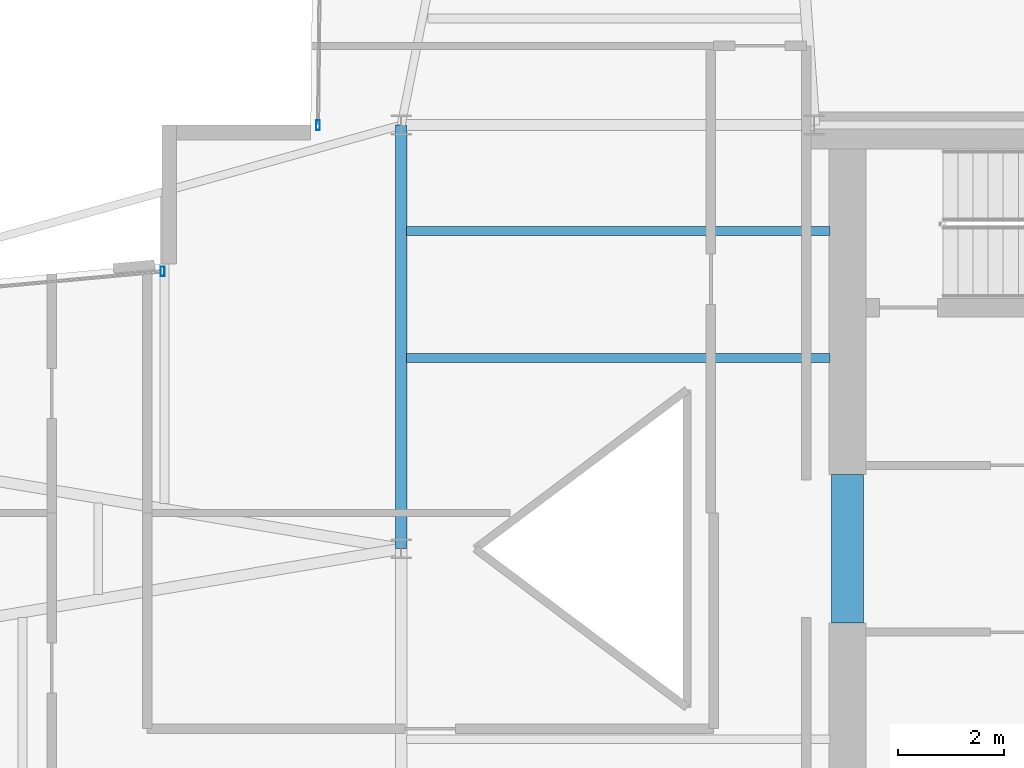
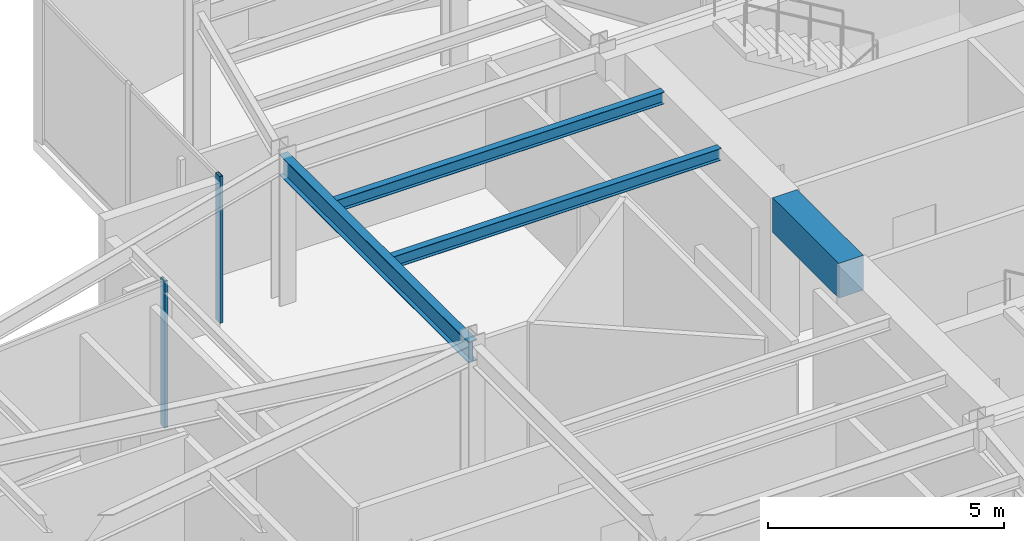
# One storey, part 11 of 22: 4 beams, 2 members, 2 elements without a shape of their own.
"""IFC4 building model written with IfcOpenShell, lengths in metres."""

from ifc_helpers import new_model, si_unit, direction, frame, origin, origin_2d, place, context, subcontext, project, spatial, rectangle, hollow_rectangle, i_section, extrude, material, layer, layer_set, material_profile, profile_set, type_object, element, aggregate, save


model = new_model("IFC4")

# Units and contexts
model_context = context("Model", 3, precision=1e-05, world=origin(), true_north=direction((0.0, 1.0)))
body_context = subcontext(model_context, "Body", "Model", "MODEL_VIEW")
ifc_project = project(units=[si_unit("LENGTHUNIT", "METRE"), si_unit("AREAUNIT", "SQUARE_METRE"), si_unit("VOLUMEUNIT", "CUBIC_METRE"), si_unit("PLANEANGLEUNIT", "RADIAN"), si_unit("MASSUNIT", "GRAM", prefix="KILO")], contexts=[model_context])

# Site, building, storey
site_placement = place(None, origin())
site = spatial("IfcSite", under=ifc_project, at=site_placement, CompositionType="ELEMENT")
building_placement = place(site_placement, origin())
building = spatial("IfcBuilding", under=site, at=building_placement, Name="Veymaron Broadcast Tower", CompositionType="ELEMENT")
storey_placement = place(building_placement, frame((0.0, 0.0, 204.0)))
storey = spatial("IfcBuildingStorey", under=building, at=storey_placement, Name="L47", CompositionType="ELEMENT", Elevation=204.0)

# Beams
ifc_material_1 = material(Name="Concrete C60/75", Category="concrete")
ifc_material_profile_1 = material_profile(ifc_material_1, rectangle(XDim=0.60009765625, YDim=0.89990234375, at=origin_2d()), Name="RC600X900")
ifc_profile_set_1 = profile_set([ifc_material_profile_1], Name="Concrete C60/75")
beam_type_1 = type_object("IfcBeamType", Name="BM-CB2", PredefinedType="LINTEL", material=ifc_profile_set_1)
beam_1_placement = place(storey_placement, frame((39.6298828125, 22.60009765625, 3.340087890625), z_axis=(0.0, 1.0, 0.0), x_axis=(-1.0, 0.0, 0.0)))
element("IfcBeam", 1, at=beam_1_placement, inside=storey, type_object=beam_type_1, Name="L47 Core Wall west coupling beam", PredefinedType="LINTEL", context=body_context, shape_type="SweptSolid", body=[
    extrude(rectangle(XDim=0.60009765625, YDim=0.89990234375, at=origin_2d()), origin(), (0.0, 0.0, 1.0), 2.7998046875),
])
ifc_material_2 = material(Name="Structural steel ASTM A992 Gr 50", Category="steel")
ifc_material_profile_2 = material_profile(ifc_material_2, i_section(OverallWidth=0.2099609375, OverallDepth=0.537109375, WebThickness=0.010986328125, FlangeThickness=0.017333984375, at=origin_2d()), Name="W530X101")
ifc_profile_set_2 = profile_set([ifc_material_profile_2], Name="Structural steel ASTM A992 Gr 50")
beam_type_2 = type_object("IfcBeamType", Name="BM-FG3", PredefinedType="BEAM", material=ifc_profile_set_2)
beam_2_placement = place(storey_placement, frame((31.199951171875, 24.0, 3.521484375), z_axis=(0.0, 1.0, 0.0), x_axis=(-1.0, 0.0, 0.0)))
element("IfcBeam", 2, at=beam_2_placement, inside=storey, type_object=beam_type_2, Name="L47 primary structural floor girder", PredefinedType="BEAM", context=body_context, shape_type="SweptSolid", body=[
    extrude(i_section(OverallWidth=0.2099609375, OverallDepth=0.537109375, WebThickness=0.010986328125, FlangeThickness=0.017333984375, at=origin_2d()), origin(), (0.0, 0.0, 1.0), 8.0),
])
ifc_material_profile_3 = material_profile(ifc_material_2, i_section(OverallWidth=0.1650390625, OverallDepth=0.31005859375, WebThickness=0.005859375, FlangeThickness=0.009765625, at=origin_2d()), Name="W310X39")
ifc_profile_set_3 = profile_set([ifc_material_profile_3], Name="Structural steel ASTM A992 Gr 50")
beam_type_3 = type_object("IfcBeamType", Name="BM-JS3", PredefinedType="JOIST", material=ifc_profile_set_3)
for number, where, z_axis, x_axis, name in (
    (3, (31.300048828125, 27.60009765625, 3.635009765625), (1.0, 0.0, 0.0), (0.0, 1.0, 0.0), "L47 Hub secondary joist 3"),
    (4, (31.300048828125, 30.0, 3.635009765625), (1.0, 0.0, 0.0), (0.0, 1.0, 0.0), "L47 Hub secondary joist 4"),
):
    element("IfcBeam", number, at=place(storey_placement, frame(where, z_axis=z_axis, x_axis=x_axis)), inside=storey, type_object=beam_type_3, Name=name, PredefinedType="JOIST", context=body_context, shape_type="SweptSolid", body=[
        extrude(i_section(OverallWidth=0.1650390625, OverallDepth=0.31005859375, WebThickness=0.005859375, FlangeThickness=0.009765625, at=origin_2d()), origin(), (0.0, 0.0, 1.0), 8.0),
    ])

# Curtain wall, member
ifc_material_3 = material(Name="Anodised aluminium AA 6063-T6 and laminated low-E dark glass", Category="aluminium")
ifc_layer = layer(ifc_material_3, 0.179931640625)
ifc_layer_set = layer_set([ifc_layer], Name="Anodised aluminium AA 6063-T6 and laminated low-E dark glass")
curtain_wall_type = type_object("IfcCurtainWallType", Name="CW-SYS-05", PredefinedType="NOTDEFINED", material=ifc_layer_set)
curtain_wall_1_placement = place(storey_placement, origin())
curtain_wall_1 = element("IfcCurtainWall", 5, at=curtain_wall_1_placement, inside=storey, type_object=curtain_wall_type, Name="L47 dark-glass curtain wall CW-L47-E8-1", PredefinedType="NOTDEFINED")
ifc_material_4 = material(Name="Anodised aluminium AA 6063-T6", Category="aluminium")
ifc_material_profile_4 = material_profile(ifc_material_4, hollow_rectangle(XDim=0.074951171875, YDim=0.179931640625, WallThickness=0.0048828125, at=origin_2d()), Name="AL180X75X5")
ifc_profile_set_4 = profile_set([ifc_material_profile_4], Name="Anodised aluminium AA 6063-T6")
member_type = type_object("IfcMemberType", Name="CW-MUL-02", PredefinedType="MULLION", material=ifc_profile_set_4)
member_1_placement = place(storey_placement, frame((29.62890625, 31.998291015625, 0.0), z_axis=(0.0, 0.0, 1.0), x_axis=(1.0, 0.0, 0.0)))
member_1 = element("IfcMember", 6, at=member_1_placement, type_object=member_type, Name="CW-L47-E8-1 mullion 2", PredefinedType="MULLION", context=body_context, shape_type="SweptSolid", body=[
    extrude(hollow_rectangle(XDim=0.074951171875, YDim=0.179931640625, WallThickness=0.0048828125, at=origin_2d()), origin(), (0.0, 0.0, 1.0), 3.7900390625),
])
aggregate(curtain_wall_1, [member_1])

curtain_wall_2_placement = place(storey_placement, origin())
curtain_wall_2 = element("IfcCurtainWall", 7, at=curtain_wall_2_placement, inside=storey, type_object=curtain_wall_type, Name="L47 dark-glass curtain wall CW-L47-E11-1", PredefinedType="NOTDEFINED")
member_2_placement = place(storey_placement, frame((26.69287109375, 29.23828125, 0.0), z_axis=(0.0, 0.0, 1.0), x_axis=(1.0, 0.0, 0.0)))
member_2 = element("IfcMember", 8, at=member_2_placement, type_object=member_type, Name="CW-L47-E11-1 mullion 0", PredefinedType="MULLION", context=body_context, shape_type="SweptSolid", body=[
    extrude(hollow_rectangle(XDim=0.074951171875, YDim=0.179931640625, WallThickness=0.0048828125, at=origin_2d()), origin(), (0.0, 0.0, 1.0), 3.7900390625),
])
aggregate(curtain_wall_2, [member_2])

save(model, "model.ifc")
